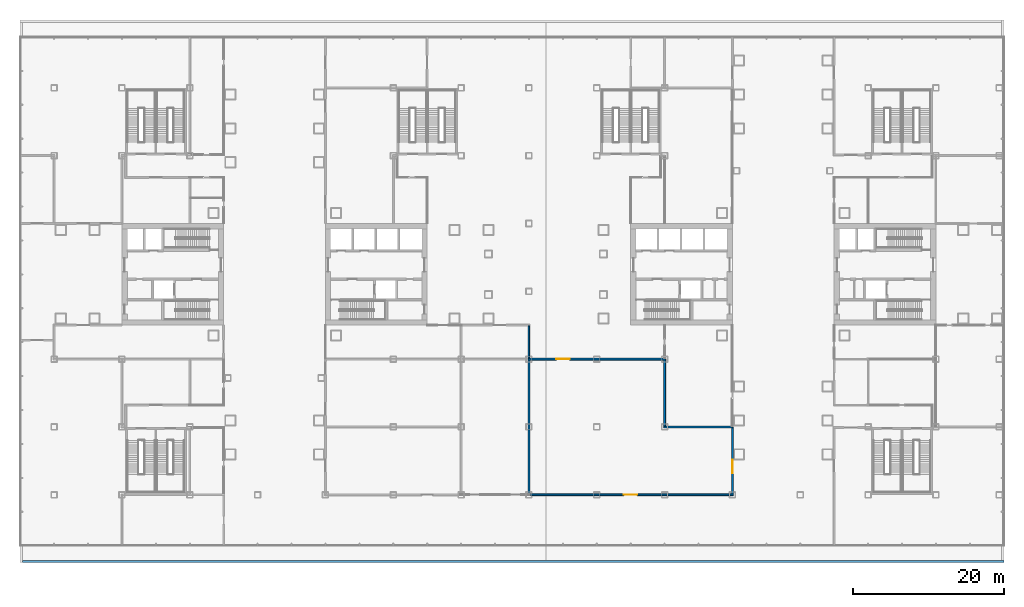
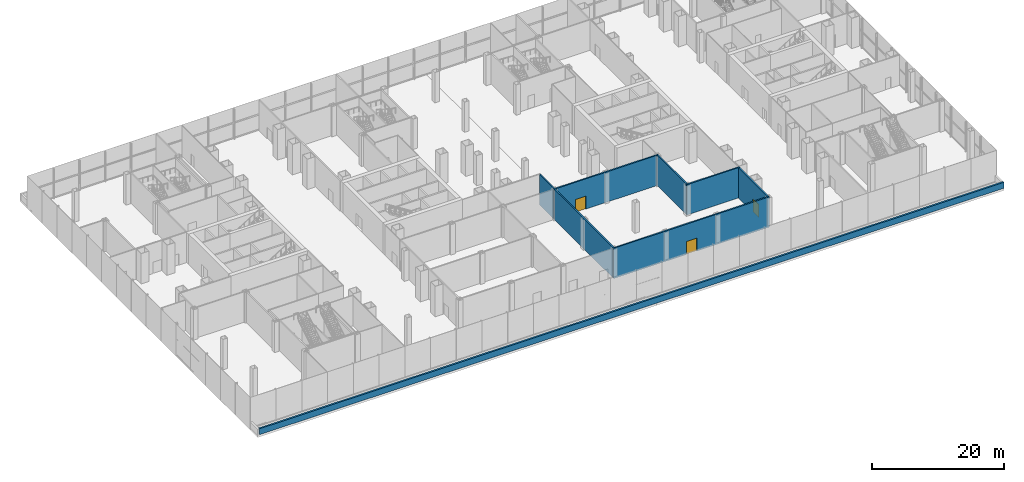
# One storey, part 26 of 38: 8 walls, 3 doors, 3 openings.
"""IFC4 building model written with IfcOpenShell, lengths in metres."""

from ifc_helpers import new_model, si_unit, direction, frame, frame_2d, origin, place, context, subcontext, project, spatial, rectangle, extrude, material, layer, layer_set, type_object, element, fill, save


model = new_model("IFC4")

# Units and contexts
model_context = context("Model", 3, precision=1e-05, world=origin(), true_north=direction((0.0, 1.0)))
body_context = subcontext(model_context, "Body", "Model", "MODEL_VIEW")
ifc_project = project(units=[si_unit("LENGTHUNIT", "METRE"), si_unit("AREAUNIT", "SQUARE_METRE"), si_unit("VOLUMEUNIT", "CUBIC_METRE"), si_unit("PLANEANGLEUNIT", "RADIAN"), si_unit("MASSUNIT", "GRAM", prefix="KILO")], contexts=[model_context])

# Site, building, storey
site_placement = place(None, origin())
site = spatial("IfcSite", under=ifc_project, at=site_placement, CompositionType="ELEMENT")
building_placement = place(site_placement, origin())
building = spatial("IfcBuilding", under=site, at=building_placement, Name="Shamsa Quay Exchange Towers", CompositionType="ELEMENT")
storey_placement = place(building_placement, frame((0.0, 0.0, 12.5)))
storey = spatial("IfcBuildingStorey", under=building, at=storey_placement, Name="L02", CompositionType="ELEMENT", Elevation=12.5)

# Wall
ifc_material_1 = material(Name="Double-leaf gypsum board partition with acoustic insulation")
ifc_layer_1 = layer(ifc_material_1, 0.199951171875)
ifc_layer_set_1 = layer_set([ifc_layer_1], Name="Acoustic partition 200 mm EI 60")
wall_type_1 = type_object("IfcWallType", Name="Acoustic partition 200 mm EI 60", PredefinedType="PARTITIONING", material=ifc_layer_set_1)
wall_1_placement = place(storey_placement, frame((0.0, -11.125, 0.0), z_axis=(0.0, 0.0, 1.0), x_axis=(0.0, 1.0, 0.0)))
element("IfcWall", 1, at=wall_1_placement, inside=storey, type_object=wall_type_1, Name="Partition PD-L02-W89", PredefinedType="PARTITIONING", context=body_context, shape_type="SweptSolid", body=[
    extrude(rectangle(XDim=4.27490234375, YDim=0.199951171875, at=frame_2d((2.137451171875, 0.0))), origin(), (0.0, 0.0, 1.0), 5.60009765625),
])

# Wall, opening, door
ifc_material_2 = material(Name="Gypsum board partition on metal studs")
ifc_layer_2 = layer(ifc_material_2, 0.25)
ifc_layer_set_2 = layer_set([ifc_layer_2], Name="Partition 250 mm EI 120")
wall_type_2 = type_object("IfcWallType", Name="Partition 250 mm EI 120", PredefinedType="PARTITIONING", material=ifc_layer_set_2)
wall_2_placement = place(storey_placement, frame((27.0, -20.375, 0.0), z_axis=(0.0, 0.0, 1.0), x_axis=(0.0, -1.0, 0.0)))
wall_2 = element("IfcWall", 2, at=wall_2_placement, inside=storey, type_object=wall_type_2, Name="Partition PD-L02-W10", PredefinedType="PARTITIONING", context=body_context, shape_type="SweptSolid", body=[
    extrude(rectangle(XDim=8.75, YDim=0.25, at=frame_2d((4.375, 0.0))), origin(), (0.0, 0.0, 1.0), 5.60009765625),
])
opening_1_placement = place(wall_2_placement, frame((4.22509765625, 0.0, 0.0)))
opening_1 = element("IfcOpeningElement", 3, at=opening_1_placement, cuts=wall_2, Name="Opening PD-L02-D35", PredefinedType="OPENING", context=body_context, shape_type="SweptSolid", body=[
    extrude(rectangle(XDim=1.800048828125, YDim=2.39990234375, at=frame_2d((0.89990234375, 1.199951171875))), frame((0.0, 0.135009765625, 0.0), z_axis=(0.0, -1.0, 0.0), x_axis=(1.0, 0.0, 0.0)), (0.0, 0.0, 1.0), 0.27001953125),
])
ifc_material_3 = material(Name="Timber door leaf in a metal frame", Category="wood")
door_type = type_object("IfcDoorType", Name="Door 1800x2400 FD60 pair", OperationType="NOTDEFINED", PredefinedType="DOOR", material=ifc_material_3)
door_1_placement = place(opening_1_placement, origin())
door_1 = element("IfcDoor", 4, at=door_1_placement, inside=storey, type_object=door_type, Name="Door PD-L02-D35", OperationType="DOUBLE_DOOR_SINGLE_SWING", OverallHeight=2.39990234375, OverallWidth=1.800048828125, PredefinedType="DOOR", context=body_context, shape_type="SweptSolid", body=[
    extrude(rectangle(XDim=1.800048828125, YDim=2.39990234375, at=frame_2d((0.89990234375, 1.199951171875))), frame((0.0, 0.02490234375, 0.0), z_axis=(0.0, -1.0, 0.0), x_axis=(1.0, 0.0, 0.0)), (0.0, 0.0, 1.0), 0.050048828125),
])
fill(opening_1, door_1)

wall_3_placement = place(storey_placement, frame((27.125, -29.25, 0.0), z_axis=(0.0, 0.0, 1.0), x_axis=(-1.0, 0.0, 0.0)))
wall_3 = element("IfcWall", 5, at=wall_3_placement, inside=storey, type_object=wall_type_2, Name="Partition PD-L02-W26", PredefinedType="PARTITIONING", context=body_context, shape_type="SweptSolid", body=[
    extrude(rectangle(XDim=27.25, YDim=0.25, at=frame_2d((13.625, 0.0))), origin(), (0.0, 0.0, 1.0), 5.60009765625),
])
opening_2_placement = place(wall_3_placement, frame((12.72509765625, 0.0, 0.0)))
opening_2 = element("IfcOpeningElement", 6, at=opening_2_placement, cuts=wall_3, Name="Opening PD-L02-D34", PredefinedType="OPENING", context=body_context, shape_type="SweptSolid", body=[
    extrude(rectangle(XDim=1.800048828125, YDim=2.39990234375, at=frame_2d((0.89990234375, 1.199951171875))), frame((0.0, 0.135009765625, 0.0), z_axis=(0.0, -1.0, 0.0), x_axis=(1.0, 0.0, 0.0)), (0.0, 0.0, 1.0), 0.27001953125),
])
door_2_placement = place(opening_2_placement, origin())
door_2 = element("IfcDoor", 7, at=door_2_placement, inside=storey, type_object=door_type, Name="Door PD-L02-D34", OperationType="DOUBLE_DOOR_SINGLE_SWING", OverallHeight=2.39990234375, OverallWidth=1.800048828125, PredefinedType="DOOR", context=body_context, shape_type="SweptSolid", body=[
    extrude(rectangle(XDim=1.800048828125, YDim=2.39990234375, at=frame_2d((0.89990234375, 1.199951171875))), frame((0.0, 0.02490234375, 0.0), z_axis=(0.0, -1.0, 0.0), x_axis=(1.0, 0.0, 0.0)), (0.0, 0.0, 1.0), 0.050048828125),
])
fill(opening_2, door_2)

# Walls
wall_4_placement = place(storey_placement, frame((0.0, -11.375, 0.0), z_axis=(0.0, 0.0, 1.0), x_axis=(0.0, -1.0, 0.0)))
element("IfcWall", 8, at=wall_4_placement, inside=storey, type_object=wall_type_2, Name="Partition PD-L02-W56", PredefinedType="PARTITIONING", context=body_context, shape_type="SweptSolid", body=[
    extrude(rectangle(XDim=17.75, YDim=0.25, at=frame_2d((8.875, 0.0))), origin(), (0.0, 0.0, 1.0), 5.60009765625),
])
wall_5_placement = place(storey_placement, frame((18.0, -20.125, 0.0), z_axis=(0.0, 0.0, 1.0), x_axis=(0.0, 1.0, 0.0)))
element("IfcWall", 9, at=wall_5_placement, inside=storey, type_object=wall_type_2, Name="Partition PD-L02-W57", PredefinedType="PARTITIONING", context=body_context, shape_type="SweptSolid", body=[
    extrude(rectangle(XDim=8.75, YDim=0.25, at=frame_2d((4.375, 0.0))), origin(), (0.0, 0.0, 1.0), 5.60009765625),
])
wall_6_placement = place(storey_placement, frame((27.125, -20.25, 0.0), z_axis=(0.0, 0.0, 1.0), x_axis=(-1.0, 0.0, 0.0)))
element("IfcWall", 10, at=wall_6_placement, inside=storey, type_object=wall_type_2, Name="Partition PD-L02-W58", PredefinedType="PARTITIONING", context=body_context, shape_type="SweptSolid", body=[
    extrude(rectangle(XDim=9.25, YDim=0.25, at=frame_2d((4.625, 0.0))), origin(), (0.0, 0.0, 1.0), 5.60009765625),
])

# Wall, opening, door
wall_7_placement = place(storey_placement, frame((-0.125, -11.25, 0.0)))
wall_7 = element("IfcWall", 11, at=wall_7_placement, inside=storey, type_object=wall_type_2, Name="Partition PD-L02-W59", PredefinedType="PARTITIONING", context=body_context, shape_type="SweptSolid", body=[
    extrude(rectangle(XDim=18.25, YDim=0.25, at=frame_2d((9.125, 0.0))), origin(), (0.0, 0.0, 1.0), 5.60009765625),
])
opening_3_placement = place(wall_7_placement, frame((3.72509765625, 0.0, 0.0)))
opening_3 = element("IfcOpeningElement", 12, at=opening_3_placement, cuts=wall_7, Name="Opening PD-L02-D29", PredefinedType="OPENING", context=body_context, shape_type="SweptSolid", body=[
    extrude(rectangle(XDim=1.800048828125, YDim=2.39990234375, at=frame_2d((0.89990234375, 1.199951171875))), frame((0.0, 0.135009765625, 0.0), z_axis=(0.0, -1.0, 0.0), x_axis=(1.0, 0.0, 0.0)), (0.0, 0.0, 1.0), 0.27001953125),
])
door_3_placement = place(opening_3_placement, origin())
door_3 = element("IfcDoor", 13, at=door_3_placement, inside=storey, type_object=door_type, Name="Door PD-L02-D29", OperationType="DOUBLE_DOOR_SINGLE_SWING", OverallHeight=2.39990234375, OverallWidth=1.800048828125, PredefinedType="DOOR", context=body_context, shape_type="SweptSolid", body=[
    extrude(rectangle(XDim=1.800048828125, YDim=2.39990234375, at=frame_2d((0.89990234375, 1.199951171875))), frame((0.0, 0.02490234375, 0.0), z_axis=(0.0, -1.0, 0.0), x_axis=(1.0, 0.0, 0.0)), (0.0, 0.0, 1.0), 0.050048828125),
])
fill(opening_3, door_3)

# Wall
ifc_material_4 = material(Name="Reinforced concrete C30/37", Category="concrete")
ifc_layer_3 = layer(ifc_material_4, 0.300048828125)
ifc_layer_set_3 = layer_set([ifc_layer_3], Name="ROOF PARAPET 300 C30/37")
wall_type_3 = type_object("IfcWallType", Name="ROOF PARAPET 300 C30/37", PredefinedType="PARAPET", material=ifc_layer_set_3)
wall_8_placement = place(storey_placement, frame((-67.199951171875, -38.10009765625, 0.0)))
element("IfcWall", 14, at=wall_8_placement, inside=storey, type_object=wall_type_3, Name="Parapet L01 2", PredefinedType="PARAPET", context=body_context, shape_type="SweptSolid", body=[
    extrude(rectangle(XDim=130.199951171875, YDim=0.300048828125, at=frame_2d((65.10009765625, 0.0))), origin(), (0.0, 0.0, 1.0), 1.10009765625),
])

save(model, "model.ifc")
